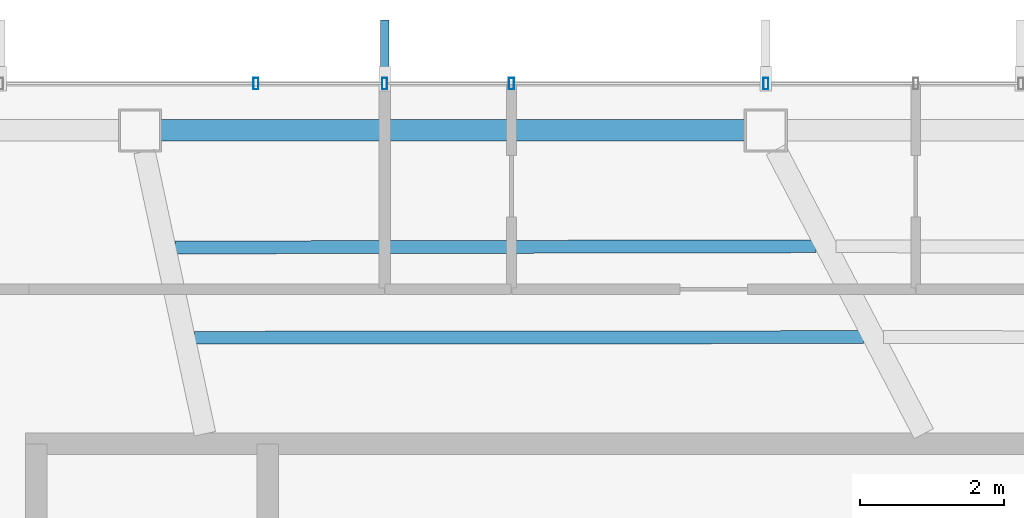
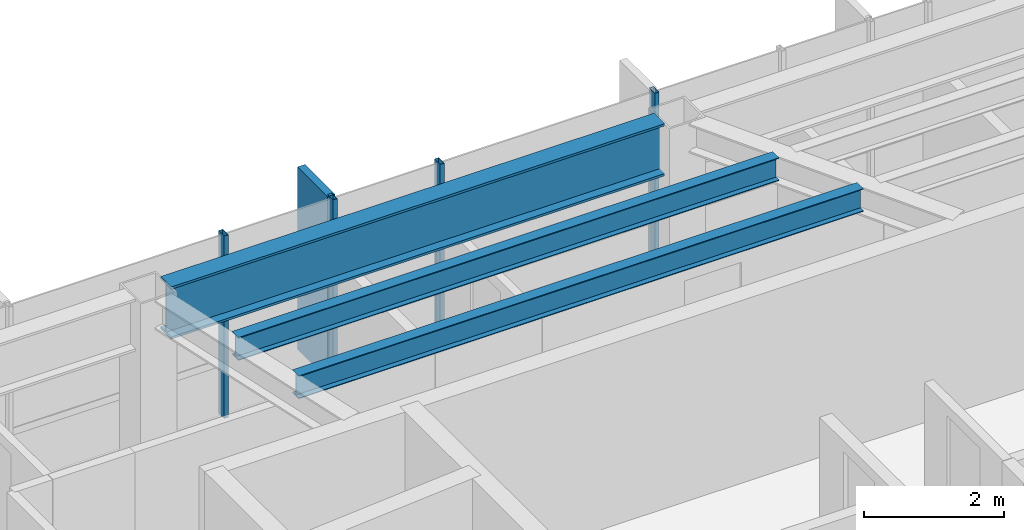
# One storey, part 11 of 25: 5 members, 3 beams, 1 element without a shape of its own.
"""IFC4 building model written with IfcOpenShell, lengths in metres."""

from ifc_helpers import new_model, si_unit, direction, frame, origin, origin_2d, place, context, subcontext, project, spatial, rectangle, hollow_rectangle, i_section, extrude, material, layer, layer_set, material_profile, profile_set, type_object, element, aggregate, save


model = new_model("IFC4")

# Units and contexts
model_context = context("Model", 3, precision=1e-05, world=origin(), true_north=direction((0.0, 1.0)))
body_context = subcontext(model_context, "Body", "Model", "MODEL_VIEW")
ifc_project = project(units=[si_unit("LENGTHUNIT", "METRE"), si_unit("AREAUNIT", "SQUARE_METRE"), si_unit("VOLUMEUNIT", "CUBIC_METRE"), si_unit("PLANEANGLEUNIT", "RADIAN"), si_unit("MASSUNIT", "GRAM", prefix="KILO")], contexts=[model_context])

# Site, building, storey
site_placement = place(None, origin())
site = spatial("IfcSite", under=ifc_project, at=site_placement, CompositionType="ELEMENT")
building_placement = place(site_placement, origin())
building = spatial("IfcBuilding", under=site, at=building_placement, Name="Zarrinselat Tower", CompositionType="ELEMENT")
storey_placement = place(building_placement, frame((0.0, 0.0, 208.760009765625)))
storey = spatial("IfcBuildingStorey", under=building, at=storey_placement, Name="L51", CompositionType="ELEMENT", Elevation=208.760009765625)

# Beams
ifc_material_1 = material(Name="Steel S460M", Category="steel")
ifc_material_profile_1 = material_profile(ifc_material_1, i_section(OverallWidth=0.302001953125, OverallDepth=0.909912109375, WebThickness=0.02099609375, FlangeThickness=0.0400390625, at=origin_2d()), Name="HEM 900")
ifc_profile_set_1 = profile_set([ifc_material_profile_1], Name="Steel S460M")
beam_type_1 = type_object("IfcBeamType", Name="BM-HEM900", PredefinedType="BEAM", material=ifc_profile_set_1)
beam_1_placement = place(storey_placement, frame((30.3818359375, 47.760986328125, 2.72509765625), z_axis=(1.0, 0.0, 0.0), x_axis=(0.0, 1.0, 0.0)))
element("IfcBeam", 1, at=beam_1_placement, inside=storey, type_object=beam_type_1, Name="L51 Perimeter Spandrel Girder SP03", PredefinedType="BEAM", context=body_context, shape_type="SweptSolid", body=[
    extrude(i_section(OverallWidth=0.302001953125, OverallDepth=0.909912109375, WebThickness=0.02099609375, FlangeThickness=0.0400390625, at=origin_2d()), origin(), (0.0, 0.0, 1.0), 8.132080078125),
])
ifc_material_2 = material(Name="Steel S355J2", Category="steel")
ifc_material_profile_2 = material_profile(ifc_material_2, i_section(OverallWidth=0.179931640625, OverallDepth=0.39990234375, WebThickness=0.008544921875, FlangeThickness=0.013427734375, at=origin_2d()), Name="IPE 400")
ifc_profile_set_2 = profile_set([ifc_material_profile_2], Name="Steel S355J2")
beam_type_2 = type_object("IfcBeamType", Name="BM-IPE400", PredefinedType="JOIST", material=ifc_profile_set_2)
beam_2_placement = place(storey_placement, frame((30.583740234375, 46.13134765625, 2.97998046875), z_axis=(0.999998110889, 0.001943763952, 0.0), x_axis=(-0.001943763952, 0.999998110889, 0.0)))
element("IfcBeam", 2, at=beam_2_placement, inside=storey, type_object=beam_type_2, Name="L51 Composite Floor Joist 8-1", PredefinedType="JOIST", context=body_context, shape_type="SweptSolid", body=[
    extrude(i_section(OverallWidth=0.179931640625, OverallDepth=0.39990234375, WebThickness=0.008544921875, FlangeThickness=0.013427734375, at=origin_2d()), origin(), (0.0, 0.0, 1.0), 8.917724609375),
])
beam_3_placement = place(storey_placement, frame((30.853515625, 44.875, 2.97998046875), z_axis=(0.99999952895, 0.00097061864, 0.0), x_axis=(-0.00097061864, 0.99999952895, 0.0)))
element("IfcBeam", 3, at=beam_3_placement, inside=storey, type_object=beam_type_2, Name="L51 Composite Floor Joist 8-2", PredefinedType="JOIST", context=body_context, shape_type="SweptSolid", body=[
    extrude(i_section(OverallWidth=0.179931640625, OverallDepth=0.39990234375, WebThickness=0.008544921875, FlangeThickness=0.013427734375, at=origin_2d()), origin(), (0.0, 0.0, 1.0), 9.306640625),
])

# Curtain wall, members
ifc_material_3 = material(Name="Extruded Aluminium Alloy EN AW-6063 T6", Category="aluminium")
ifc_layer = layer(ifc_material_3, 0.169921875)
ifc_layer_set = layer_set([ifc_layer], Name="Extruded Aluminium Alloy EN AW-6063 T6")
curtain_wall_type = type_object("IfcCurtainWallType", Name="CWS-RES", PredefinedType="NOTDEFINED", material=ifc_layer_set)
curtain_wall_placement = place(storey_placement, origin())
curtain_wall = element("IfcCurtainWall", 4, at=curtain_wall_placement, inside=storey, type_object=curtain_wall_type, Name="L51 Unitised Curtain Wall CW-L51-E01", PredefinedType="NOTDEFINED")
ifc_material_4 = material(Name="Extruded Aluminium Alloy EN AW-6063 T6", Category="aluminium")
ifc_material_profile_3 = material_profile(ifc_material_4, hollow_rectangle(XDim=0.070068359375, YDim=0.159912109375, WallThickness=0.00390625, at=origin_2d()), Name="RHS 160x70x4")
ifc_profile_set_3 = profile_set([ifc_material_profile_3], Name="Extruded Aluminium Alloy EN AW-6063 T6")
member_type_1 = type_object("IfcMemberType", Name="MEM-CW-MUL2", PredefinedType="MULLION", material=ifc_profile_set_3)
member_1_placement = place(storey_placement, frame((38.802001953125, 48.4111328125, 0.0), z_axis=(0.0, 0.0, 1.0), x_axis=(-1.0, 0.0, 0.0)))
member_1 = element("IfcMember", 5, at=member_1_placement, type_object=member_type_1, Name="CW-L51-E01 Mullion 7", PredefinedType="MULLION", context=body_context, shape_type="SweptSolid", body=[
    extrude(hollow_rectangle(XDim=0.070068359375, YDim=0.159912109375, WallThickness=0.00390625, at=origin_2d()), origin(), (0.0, 0.0, 1.0), 3.179931640625),
])
member_2_placement = place(storey_placement, frame((35.263916015625, 48.4111328125, 0.0), z_axis=(0.0, 0.0, 1.0), x_axis=(-1.0, 0.0, 0.0)))
member_2 = element("IfcMember", 6, at=member_2_placement, type_object=member_type_1, Name="CW-L51-E01 Mullion 8", PredefinedType="MULLION", context=body_context, shape_type="SweptSolid", body=[
    extrude(hollow_rectangle(XDim=0.070068359375, YDim=0.159912109375, WallThickness=0.00390625, at=origin_2d()), origin(), (0.0, 0.0, 1.0), 3.179931640625),
])
member_3_placement = place(storey_placement, frame((33.5, 48.4111328125, 0.0), z_axis=(0.0, 0.0, 1.0), x_axis=(-1.0, 0.0, 0.0)))
member_3 = element("IfcMember", 7, at=member_3_placement, type_object=member_type_1, Name="CW-L51-E01 Mullion 9", PredefinedType="MULLION", context=body_context, shape_type="SweptSolid", body=[
    extrude(hollow_rectangle(XDim=0.070068359375, YDim=0.159912109375, WallThickness=0.00390625, at=origin_2d()), origin(), (0.0, 0.0, 1.0), 3.179931640625),
])
member_4_placement = place(storey_placement, frame((31.706298828125, 48.4111328125, 0.0), z_axis=(0.0, 0.0, 1.0), x_axis=(-1.0, 0.0, 0.0)))
member_4 = element("IfcMember", 8, at=member_4_placement, type_object=member_type_1, Name="CW-L51-E01 Mullion 10", PredefinedType="MULLION", context=body_context, shape_type="SweptSolid", body=[
    extrude(hollow_rectangle(XDim=0.070068359375, YDim=0.159912109375, WallThickness=0.00390625, at=origin_2d()), origin(), (0.0, 0.0, 1.0), 3.179931640625),
])
ifc_material_5 = material(Name="Honed Cream Travertine Stone", Category="masonry")
ifc_material_profile_4 = material_profile(ifc_material_5, rectangle(XDim=0.1201171875, YDim=0.85009765625, at=origin_2d()), Name="FIN 850x120")
ifc_profile_set_4 = profile_set([ifc_material_profile_4], Name="Honed Cream Travertine Stone")
member_type_2 = type_object("IfcMemberType", Name="MEM-STONE-FIN", PredefinedType="USERDEFINED", material=ifc_profile_set_4)
member_5_placement = place(storey_placement, frame((33.5, 48.87109375, 0.0), z_axis=(0.0, 0.0, 1.0), x_axis=(1.0, 0.0, 0.0)))
member_5 = element("IfcMember", 9, at=member_5_placement, type_object=member_type_2, Name="L51 Stone Shading Fin CW-L51-E01-09", ObjectType="FIN", PredefinedType="USERDEFINED", context=body_context, shape_type="SweptSolid", body=[
    extrude(rectangle(XDim=0.1201171875, YDim=0.85009765625, at=origin_2d()), origin(), (0.0, 0.0, 1.0), 3.179931640625),
])
aggregate(curtain_wall, [member_1, member_2, member_3, member_5, member_4])

save(model, "model.ifc")
